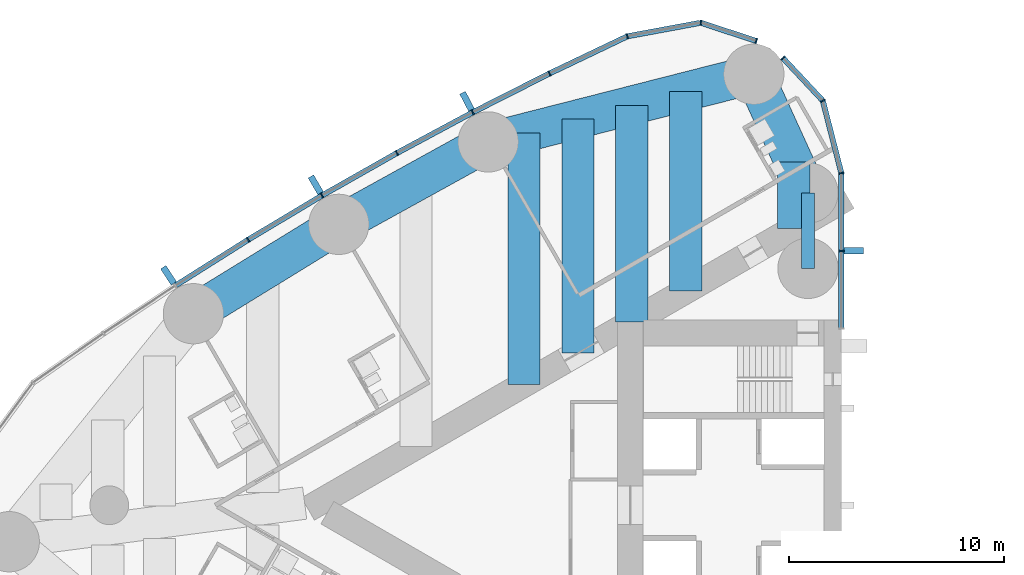
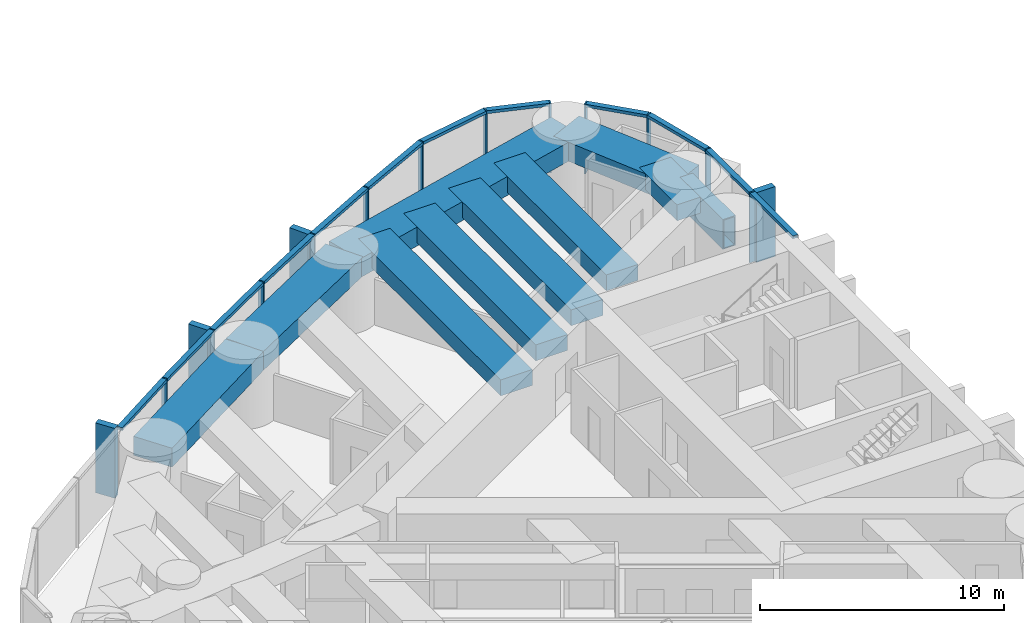
# One storey, part 5 of 18: 28 members, 10 beams, 2 elements without a shape of their own.
"""IFC4 building model written with IfcOpenShell, lengths in metres."""

from ifc_helpers import new_model, si_unit, direction, frame, origin, origin_2d, place, context, subcontext, project, spatial, rectangle, hollow_rectangle, extrude, material, material_profile, profile_set, type_object, element, aggregate, save


model = new_model("IFC4")

# Units and contexts
model_context = context("Model", 3, precision=1e-05, world=origin(), true_north=direction((0.0, 1.0)))
body_context = subcontext(model_context, "Body", "Model", "MODEL_VIEW")
ifc_project = project(units=[si_unit("LENGTHUNIT", "METRE"), si_unit("AREAUNIT", "SQUARE_METRE"), si_unit("VOLUMEUNIT", "CUBIC_METRE"), si_unit("PLANEANGLEUNIT", "RADIAN"), si_unit("MASSUNIT", "GRAM", prefix="KILO")], contexts=[model_context])

# Site, building, storey
site_placement = place(None, origin())
site = spatial("IfcSite", under=ifc_project, at=site_placement, CompositionType="ELEMENT")
building_placement = place(site_placement, origin())
building = spatial("IfcBuilding", under=site, at=building_placement, Name="Lancet Gate Hotel", CompositionType="ELEMENT")
storey_placement = place(building_placement, frame((0.0, 0.0, 187.800048828125)))
storey = spatial("IfcBuildingStorey", under=building, at=storey_placement, Name="L50", CompositionType="ELEMENT", Elevation=187.800048828125)

# Curtain wall, members
ifc_material_1 = material(Name="Aluminium curtain wall", Category="aluminium")
curtain_wall_type = type_object("IfcCurtainWallType", Name="Tower unitised curtain wall", PredefinedType="USERDEFINED", material=ifc_material_1)
curtain_wall_1_placement = place(storey_placement, origin())
curtain_wall_1 = element("IfcCurtainWall", 1, at=curtain_wall_1_placement, inside=storey, type_object=curtain_wall_type, Name="T1 L50 curtain wall 1", ObjectType="UNITISED CURTAIN WALL", PredefinedType="USERDEFINED")
ifc_material_2 = material(Name="Aluminium mullion", Category="aluminium")
ifc_material_profile_1 = material_profile(ifc_material_2, rectangle(XDim=0.06494140625, YDim=0.25, at=origin_2d()), Name="MULLION 65x250")
ifc_profile_set_1 = profile_set([ifc_material_profile_1], Name="Aluminium mullion")
member_type_1 = type_object("IfcMemberType", Name="Aluminium mullion 65x250", PredefinedType="MULLION", material=ifc_profile_set_1)
member_1_placement = place(storey_placement, frame((-27.5, 11.811767578125, 0.0), z_axis=(0.0, 0.0, 1.0), x_axis=(0.0, 1.0, 0.0)))
member_1 = element("IfcMember", 2, at=member_1_placement, type_object=member_type_1, Name="T1 L50 curtain wall 1 mullion 2", PredefinedType="MULLION", context=body_context, shape_type="SweptSolid", body=[
    extrude(rectangle(XDim=0.06494140625, YDim=0.25, at=origin_2d()), origin(), (0.0, 0.0, 1.0), 3.5),
])
member_2_placement = place(storey_placement, frame((-27.5, 15.42333984375, 0.0), z_axis=(0.0, 0.0, 1.0), x_axis=(-0.122467472845, 0.992472527627, 0.0)))
member_2 = element("IfcMember", 3, at=member_2_placement, type_object=member_type_1, Name="T1 L50 curtain wall 1 mullion 3", PredefinedType="MULLION", context=body_context, shape_type="SweptSolid", body=[
    extrude(rectangle(XDim=0.06494140625, YDim=0.25, at=origin_2d()), origin(), (0.0, 0.0, 1.0), 3.5),
])
member_3_placement = place(storey_placement, frame((-28.360595703125, 18.7861328125, 0.0), z_axis=(0.0, 0.0, 1.0), x_axis=(-0.452507601198, 0.891760545695, 0.0)))
member_3 = element("IfcMember", 4, at=member_3_placement, type_object=member_type_1, Name="T1 L50 curtain wall 1 mullion 4", PredefinedType="MULLION", context=body_context, shape_type="SweptSolid", body=[
    extrude(rectangle(XDim=0.06494140625, YDim=0.25, at=origin_2d()), origin(), (0.0, 0.0, 1.0), 3.5),
])
member_4_placement = place(storey_placement, frame((-30.210693359375, 20.765625, 0.0), z_axis=(0.0, 0.0, 1.0), x_axis=(-0.682844962172, 0.730563315282, 0.0)))
member_4 = element("IfcMember", 5, at=member_4_placement, type_object=member_type_1, Name="T1 L50 curtain wall 1 mullion 5", PredefinedType="MULLION", context=body_context, shape_type="SweptSolid", body=[
    extrude(rectangle(XDim=0.06494140625, YDim=0.25, at=origin_2d()), origin(), (0.0, 0.0, 1.0), 3.5),
])

curtain_wall_2_placement = place(storey_placement, origin())
curtain_wall_2 = element("IfcCurtainWall", 6, at=curtain_wall_2_placement, inside=storey, type_object=curtain_wall_type, Name="T1 L50 curtain wall 2", ObjectType="UNITISED CURTAIN WALL", PredefinedType="USERDEFINED")
member_5_placement = place(storey_placement, frame((-31.45263671875, 21.5595703125, 0.0), z_axis=(0.0, 0.0, 1.0), x_axis=(-0.949848055084, 0.312711803827, 0.0)))
member_5 = element("IfcMember", 7, at=member_5_placement, type_object=member_type_1, Name="T1 L50 curtain wall 2 mullion 1", PredefinedType="MULLION", context=body_context, shape_type="SweptSolid", body=[
    extrude(rectangle(XDim=0.06494140625, YDim=0.25, at=origin_2d()), origin(), (0.0, 0.0, 1.0), 3.5),
])
member_6_placement = place(storey_placement, frame((-34.02783203125, 22.407470703125, 0.0), z_axis=(0.0, 0.0, 1.0), x_axis=(-0.999350473622, 0.036036521361, 0.0)))
member_6 = element("IfcMember", 8, at=member_6_placement, type_object=member_type_1, Name="T1 L50 curtain wall 2 mullion 2", PredefinedType="MULLION", context=body_context, shape_type="SweptSolid", body=[
    extrude(rectangle(XDim=0.06494140625, YDim=0.25, at=origin_2d()), origin(), (0.0, 0.0, 1.0), 3.5),
])
member_7_placement = place(storey_placement, frame((-37.44091796875, 21.775634765625, 0.0), z_axis=(0.0, 0.0, 1.0), x_axis=(-0.948119321052, -0.317914694609, 0.0)))
member_7 = element("IfcMember", 9, at=member_7_placement, type_object=member_type_1, Name="T1 L50 curtain wall 2 mullion 3", PredefinedType="MULLION", context=body_context, shape_type="SweptSolid", body=[
    extrude(rectangle(XDim=0.06494140625, YDim=0.25, at=origin_2d()), origin(), (0.0, 0.0, 1.0), 3.5),
])
member_8_placement = place(storey_placement, frame((-41.0498046875, 20.052978515625, 0.0), z_axis=(0.0, 0.0, 1.0), x_axis=(-0.897324392142, -0.441371652088, 0.0)))
member_8 = element("IfcMember", 10, at=member_8_placement, type_object=member_type_1, Name="T1 L50 curtain wall 2 mullion 4", PredefinedType="MULLION", context=body_context, shape_type="SweptSolid", body=[
    extrude(rectangle(XDim=0.06494140625, YDim=0.25, at=origin_2d()), origin(), (0.0, 0.0, 1.0), 3.5),
])
member_9_placement = place(storey_placement, frame((-44.6171875, 18.245849609375, 0.0), z_axis=(0.0, 0.0, 1.0), x_axis=(-0.886694440064, -0.462355891019, 0.0)))
member_9 = element("IfcMember", 11, at=member_9_placement, type_object=member_type_1, Name="T1 L50 curtain wall 2 mullion 5", PredefinedType="MULLION", context=body_context, shape_type="SweptSolid", body=[
    extrude(rectangle(XDim=0.06494140625, YDim=0.25, at=origin_2d()), origin(), (0.0, 0.0, 1.0), 3.5),
])
member_10_placement = place(storey_placement, frame((-48.140869140625, 16.355224609375, 0.0), z_axis=(0.0, 0.0, 1.0), x_axis=(-0.87557384965, -0.483084292654, 0.0)))
member_10 = element("IfcMember", 12, at=member_10_placement, type_object=member_type_1, Name="T1 L50 curtain wall 2 mullion 6", PredefinedType="MULLION", context=body_context, shape_type="SweptSolid", body=[
    extrude(rectangle(XDim=0.06494140625, YDim=0.25, at=origin_2d()), origin(), (0.0, 0.0, 1.0), 3.5),
])
member_11_placement = place(storey_placement, frame((-51.619384765625, 14.38232421875, 0.0), z_axis=(0.0, 0.0, 1.0), x_axis=(-0.863968774311, -0.503545387245, 0.0)))
member_11 = element("IfcMember", 13, at=member_11_placement, type_object=member_type_1, Name="T1 L50 curtain wall 2 mullion 7", PredefinedType="MULLION", context=body_context, shape_type="SweptSolid", body=[
    extrude(rectangle(XDim=0.06494140625, YDim=0.25, at=origin_2d()), origin(), (0.0, 0.0, 1.0), 3.5),
])
member_12_placement = place(storey_placement, frame((-55.05029296875, 12.328369140625, 0.0), z_axis=(0.0, 0.0, 1.0), x_axis=(-0.851885635531, -0.52372785297, 0.0)))
member_12 = element("IfcMember", 14, at=member_12_placement, type_object=member_type_1, Name="T1 L50 curtain wall 2 mullion 8", PredefinedType="MULLION", context=body_context, shape_type="SweptSolid", body=[
    extrude(rectangle(XDim=0.06494140625, YDim=0.25, at=origin_2d()), origin(), (0.0, 0.0, 1.0), 3.5),
])

# Member
ifc_material_3 = material(Name="Aluminium transom", Category="aluminium")
ifc_material_profile_2 = material_profile(ifc_material_3, rectangle(XDim=0.25, YDim=0.14990234375, at=origin_2d()), Name="TRANSOM 250x150")
ifc_profile_set_2 = profile_set([ifc_material_profile_2], Name="Aluminium transom")
member_type_2 = type_object("IfcMemberType", Name="Aluminium transom 250x150", PredefinedType="USERDEFINED", material=ifc_profile_set_2)
member_13_placement = place(storey_placement, frame((-27.5, 8.232421875, 3.425048828125), z_axis=(0.0, 1.0, 0.0), x_axis=(-1.0, 0.0, 0.0)))
member_13 = element("IfcMember", 15, at=member_13_placement, type_object=member_type_2, Name="T1 L50 curtain wall 1 transom 1", ObjectType="TRANSOM", PredefinedType="USERDEFINED", context=body_context, shape_type="SweptSolid", body=[
    extrude(rectangle(XDim=0.25, YDim=0.14990234375, at=origin_2d()), origin(), (0.0, 0.0, 1.0), 3.546875),
])

member_14_placement = place(storey_placement, frame((-27.5, 11.84423828125, 3.425048828125), z_axis=(0.0, 1.0, 0.0), x_axis=(-1.0, 0.0, 0.0)))
member_14 = element("IfcMember", 16, at=member_14_placement, type_object=member_type_2, Name="T1 L50 curtain wall 1 transom 2", ObjectType="TRANSOM", PredefinedType="USERDEFINED", context=body_context, shape_type="SweptSolid", body=[
    extrude(rectangle(XDim=0.25, YDim=0.14990234375, at=origin_2d()), origin(), (0.0, 0.0, 1.0), 3.546630859375),
])

member_15_placement = place(storey_placement, frame((-27.508056640625, 15.454833984375, 3.425048828125), z_axis=(-0.247928683912, 0.968778286139, 0.0), x_axis=(-0.968778286139, -0.247928683912, 0.0)))
member_15 = element("IfcMember", 17, at=member_15_placement, type_object=member_type_2, Name="T1 L50 curtain wall 1 transom 3", ObjectType="TRANSOM", PredefinedType="USERDEFINED", context=body_context, shape_type="SweptSolid", body=[
    extrude(rectangle(XDim=0.25, YDim=0.14990234375, at=origin_2d()), origin(), (0.0, 0.0, 1.0), 3.40625),
])

member_16_placement = place(storey_placement, frame((-28.3828125, 18.809814453125, 3.425048828125), z_axis=(-0.682841037959, 0.730566983157, 0.0), x_axis=(-0.730566983157, -0.682841037959, 0.0)))
member_16 = element("IfcMember", 18, at=member_16_placement, type_object=member_type_2, Name="T1 L50 curtain wall 1 transom 4", ObjectType="TRANSOM", PredefinedType="USERDEFINED", context=body_context, shape_type="SweptSolid", body=[
    extrude(rectangle(XDim=0.25, YDim=0.14990234375, at=origin_2d()), origin(), (0.0, 0.0, 1.0), 2.644775390625),
])

member_17_placement = place(storey_placement, frame((-31.483642578125, 21.56982421875, 3.425048828125), z_axis=(-0.949857661259, 0.312682623993, 0.0), x_axis=(-0.312682623993, -0.949857661259, 0.0)))
member_17 = element("IfcMember", 19, at=member_17_placement, type_object=member_type_2, Name="T1 L50 curtain wall 2 transom 1", ObjectType="TRANSOM", PredefinedType="USERDEFINED", context=body_context, shape_type="SweptSolid", body=[
    extrude(rectangle(XDim=0.25, YDim=0.14990234375, at=origin_2d()), origin(), (0.0, 0.0, 1.0), 2.64599609375),
])

member_18_placement = place(storey_placement, frame((-34.059814453125, 22.401611328125, 3.425048828125), z_axis=(-0.983286757871, -0.182063592724, 0.0), x_axis=(0.182063592724, -0.983286757871, 0.0)))
member_18 = element("IfcMember", 20, at=member_18_placement, type_object=member_type_2, Name="T1 L50 curtain wall 2 transom 2", ObjectType="TRANSOM", PredefinedType="USERDEFINED", context=body_context, shape_type="SweptSolid", body=[
    extrude(rectangle(XDim=0.25, YDim=0.14990234375, at=origin_2d()), origin(), (0.0, 0.0, 1.0), 3.406005859375),
])

member_19_placement = place(storey_placement, frame((-37.47021484375, 21.761474609375, 3.425048828125), z_axis=(-0.902468975385, -0.430754858902, 0.0), x_axis=(0.430754858902, -0.902468975385, 0.0)))
member_19 = element("IfcMember", 21, at=member_19_placement, type_object=member_type_2, Name="T1 L50 curtain wall 2 transom 3", ObjectType="TRANSOM", PredefinedType="USERDEFINED", context=body_context, shape_type="SweptSolid", body=[
    extrude(rectangle(XDim=0.25, YDim=0.14990234375, at=origin_2d()), origin(), (0.0, 0.0, 1.0), 3.93408203125),
])

member_20_placement = place(storey_placement, frame((-41.078857421875, 20.0380859375, 3.425048828125), z_axis=(-0.892081477453, -0.451874581699, 0.0), x_axis=(0.451874581699, -0.892081477453, 0.0)))
member_20 = element("IfcMember", 22, at=member_20_placement, type_object=member_type_2, Name="T1 L50 curtain wall 2 transom 4", ObjectType="TRANSOM", PredefinedType="USERDEFINED", context=body_context, shape_type="SweptSolid", body=[
    extrude(rectangle(XDim=0.25, YDim=0.14990234375, at=origin_2d()), origin(), (0.0, 0.0, 1.0), 3.933837890625),
])

member_21_placement = place(storey_placement, frame((-44.645751953125, 18.23046875, 3.425048828125), z_axis=(-0.881185491994, -0.472770693571, 0.0), x_axis=(0.472770693571, -0.881185491994, 0.0)))
member_21 = element("IfcMember", 23, at=member_21_placement, type_object=member_type_2, Name="T1 L50 curtain wall 2 transom 5", ObjectType="TRANSOM", PredefinedType="USERDEFINED", context=body_context, shape_type="SweptSolid", body=[
    extrude(rectangle(XDim=0.25, YDim=0.14990234375, at=origin_2d()), origin(), (0.0, 0.0, 1.0), 3.93408203125),
])

member_22_placement = place(storey_placement, frame((-48.169189453125, 16.33935546875, 3.425048828125), z_axis=(-0.869819807367, -0.493369539709, 0.0), x_axis=(0.493369539709, -0.869819807367, 0.0)))
member_22 = element("IfcMember", 24, at=member_22_placement, type_object=member_type_2, Name="T1 L50 curtain wall 2 transom 6", ObjectType="TRANSOM", PredefinedType="USERDEFINED", context=body_context, shape_type="SweptSolid", body=[
    extrude(rectangle(XDim=0.25, YDim=0.14990234375, at=origin_2d()), origin(), (0.0, 0.0, 1.0), 3.93408203125),
])

member_23_placement = place(storey_placement, frame((-51.647216796875, 14.36572265625, 3.425048828125), z_axis=(-0.857985365092, -0.513674131419, 0.0), x_axis=(0.513674131419, -0.857985365092, 0.0)))
member_23 = element("IfcMember", 25, at=member_23_placement, type_object=member_type_2, Name="T1 L50 curtain wall 2 transom 7", ObjectType="TRANSOM", PredefinedType="USERDEFINED", context=body_context, shape_type="SweptSolid", body=[
    extrude(rectangle(XDim=0.25, YDim=0.14990234375, at=origin_2d()), origin(), (0.0, 0.0, 1.0), 3.933837890625),
])

member_24_placement = place(storey_placement, frame((-55.077880859375, 12.31103515625, 3.425048828125), z_axis=(-0.845671711095, -0.53370343549, 0.0), x_axis=(0.53370343549, -0.845671711095, 0.0)))
member_24 = element("IfcMember", 26, at=member_24_placement, type_object=member_type_2, Name="T1 L50 curtain wall 2 transom 8", ObjectType="TRANSOM", PredefinedType="USERDEFINED", context=body_context, shape_type="SweptSolid", body=[
    extrude(rectangle(XDim=0.25, YDim=0.14990234375, at=origin_2d()), origin(), (0.0, 0.0, 1.0), 3.93408203125),
])

# Beams
ifc_material_4 = material(Name="Concrete C50/60", Category="concrete")
ifc_material_profile_3 = material_profile(ifc_material_4, rectangle(XDim=1.800048828125, YDim=0.949951171875, at=origin_2d()), Name="RC 1800x950")
ifc_profile_set_3 = profile_set([ifc_material_profile_3], Name="Concrete C50/60")
beam_type_1 = type_object("IfcBeamType", Name="Edge beam RC 1800x950", PredefinedType="SPANDREL", material=ifc_profile_set_3)
beam_1_placement = place(storey_placement, frame((-31.5654296875, 20.015869140625, 2.77490234375), z_axis=(-0.969008414312, -0.247027717052, 0.0), x_axis=(0.247027717052, -0.969008414312, 0.0)))
element("IfcBeam", 27, at=beam_1_placement, inside=storey, type_object=beam_type_1, Name="T1 edge beam EB1 L50", PredefinedType="SPANDREL", context=body_context, shape_type="SweptSolid", body=[
    extrude(rectangle(XDim=1.800048828125, YDim=0.949951171875, at=origin_2d()), origin(), (0.0, 0.0, 1.0), 12.7294921875),
])
beam_2_placement = place(storey_placement, frame((-43.900390625, 16.871337890625, 2.77490234375), z_axis=(-0.875577684027, -0.483077342911, 0.0), x_axis=(0.483077342911, -0.875577684027, 0.0)))
element("IfcBeam", 28, at=beam_2_placement, inside=storey, type_object=beam_type_1, Name="T1 edge beam EB1 L50", PredefinedType="SPANDREL", context=body_context, shape_type="SweptSolid", body=[
    extrude(rectangle(XDim=1.800048828125, YDim=0.949951171875, at=origin_2d()), origin(), (0.0, 0.0, 1.0), 7.924560546875),
])
beam_3_placement = place(storey_placement, frame((-50.8388671875, 13.043212890625, 2.77490234375), z_axis=(-0.851892008043, -0.523717487423, 0.0), x_axis=(0.523717487423, -0.851892008043, 0.0)))
element("IfcBeam", 29, at=beam_3_placement, inside=storey, type_object=beam_type_1, Name="T1 edge beam EB1 L50", PredefinedType="SPANDREL", context=body_context, shape_type="SweptSolid", body=[
    extrude(rectangle(XDim=1.800048828125, YDim=0.949951171875, at=origin_2d()), origin(), (0.0, 0.0, 1.0), 7.92431640625),
])
beam_4_placement = place(storey_placement, frame((-31.5654296875, 20.015869140625, 2.77490234375), z_axis=(0.414919206993, -0.909858259109, 0.0), x_axis=(0.909858259109, 0.414919206993, 0.0)))
element("IfcBeam", 30, at=beam_4_placement, inside=storey, type_object=beam_type_1, Name="T1 edge beam EB1 L50", PredefinedType="SPANDREL", context=body_context, shape_type="SweptSolid", body=[
    extrude(rectangle(XDim=1.800048828125, YDim=0.949951171875, at=origin_2d()), origin(), (0.0, 0.0, 1.0), 6.062255859375),
])

# Member
ifc_material_5 = material(Name="Precast concrete C50/60", Category="concrete")
ifc_material_profile_4 = material_profile(ifc_material_5, rectangle(XDim=0.300048828125, YDim=0.89990234375, at=origin_2d()), Name="FIN 300x900")
ifc_profile_set_4 = profile_set([ifc_material_profile_4], Name="Precast concrete C50/60")
member_type_3 = type_object("IfcMemberType", Name="Exposed concrete fin 300x900", PredefinedType="USERDEFINED", material=ifc_profile_set_4)
member_25_placement = place(storey_placement, frame((-26.925048828125, 11.811767578125, 0.0), z_axis=(0.0, 0.0, 1.0), x_axis=(0.0, 1.0, 0.0)))
member_25 = element("IfcMember", 31, at=member_25_placement, type_object=member_type_3, Name="T1 L50 curtain wall 1 fin 2", ObjectType="FIN", PredefinedType="USERDEFINED", context=body_context, shape_type="SweptSolid", body=[
    extrude(rectangle(XDim=0.300048828125, YDim=0.89990234375, at=origin_2d()), origin(), (0.0, 0.0, 1.0), 3.5),
])

aggregate(curtain_wall_1, [member_1, member_25, member_2, member_3, member_4, member_13, member_14, member_15, member_16])

member_26_placement = place(storey_placement, frame((-44.883056640625, 18.755615234375, 0.0), z_axis=(0.0, 0.0, 1.0), x_axis=(-0.886694440064, -0.462355891019, 0.0)))
member_26 = element("IfcMember", 32, at=member_26_placement, type_object=member_type_3, Name="T1 L50 curtain wall 2 fin 5", ObjectType="FIN", PredefinedType="USERDEFINED", context=body_context, shape_type="SweptSolid", body=[
    extrude(rectangle(XDim=0.300048828125, YDim=0.89990234375, at=origin_2d()), origin(), (0.0, 0.0, 1.0), 3.5),
])

member_27_placement = place(storey_placement, frame((-51.908935546875, 14.879150390625, 0.0), z_axis=(0.0, 0.0, 1.0), x_axis=(-0.863968774311, -0.503545387245, 0.0)))
member_27 = element("IfcMember", 33, at=member_27_placement, type_object=member_type_3, Name="T1 L50 curtain wall 2 fin 7", ObjectType="FIN", PredefinedType="USERDEFINED", context=body_context, shape_type="SweptSolid", body=[
    extrude(rectangle(XDim=0.300048828125, YDim=0.89990234375, at=origin_2d()), origin(), (0.0, 0.0, 1.0), 3.5),
])

member_28_placement = place(storey_placement, frame((-58.74462890625, 10.6767578125, 0.0), z_axis=(0.0, 0.0, 1.0), x_axis=(-0.839331119324, -0.54362052218, 0.0)))
member_28 = element("IfcMember", 34, at=member_28_placement, type_object=member_type_3, Name="T1 L50 curtain wall 2 fin 9", ObjectType="FIN", PredefinedType="USERDEFINED", context=body_context, shape_type="SweptSolid", body=[
    extrude(rectangle(XDim=0.300048828125, YDim=0.89990234375, at=origin_2d()), origin(), (0.0, 0.0, 1.0), 3.5),
])

aggregate(curtain_wall_2, [member_5, member_6, member_7, member_8, member_9, member_26, member_10, member_11, member_27, member_12, member_28, member_17, member_18, member_19, member_20, member_21, member_22, member_23, member_24])

# Beams
ifc_material_6 = material(Name="Concrete C50/60", Category="concrete")
ifc_material_profile_5 = material_profile(ifc_material_6, rectangle(XDim=1.5, YDim=0.800048828125, at=origin_2d()), Name="RC 1500x800")
ifc_profile_set_5 = profile_set([ifc_material_profile_5], Name="Concrete C50/60")
beam_type_2 = type_object("IfcBeamType", Name="Floor beam RC 1500x800", PredefinedType="BEAM", material=ifc_profile_set_5)
beam_5_placement = place(storey_placement, frame((-29.706787109375, 15.940185546875, 2.849853515625), z_axis=(0.0, -1.0, 0.0), x_axis=(1.0, 0.0, 0.0)))
element("IfcBeam", 35, at=beam_5_placement, inside=storey, type_object=beam_type_2, Name="T1 floor beam F01S L50", PredefinedType="BEAM", context=body_context, shape_type="SweptSolid", body=[
    extrude(rectangle(XDim=1.5, YDim=0.800048828125, at=origin_2d()), origin(), (0.0, 0.0, 1.0), 3.087646484375),
])
beam_6_placement = place(storey_placement, frame((-34.720458984375, 19.211669921875, 2.849853515625), z_axis=(0.0, -1.0, 0.0), x_axis=(1.0, 0.0, 0.0)))
element("IfcBeam", 36, at=beam_6_placement, inside=storey, type_object=beam_type_2, Name="T1 floor beam F03S L50", PredefinedType="BEAM", context=body_context, shape_type="SweptSolid", body=[
    extrude(rectangle(XDim=1.5, YDim=0.800048828125, at=origin_2d()), origin(), (0.0, 0.0, 1.0), 9.253662109375),
])
beam_7_placement = place(storey_placement, frame((-37.227294921875, 18.572509765625, 2.849853515625), z_axis=(0.0, -1.0, 0.0), x_axis=(1.0, 0.0, 0.0)))
element("IfcBeam", 37, at=beam_7_placement, inside=storey, type_object=beam_type_2, Name="T1 floor beam F04S L50", PredefinedType="BEAM", context=body_context, shape_type="SweptSolid", body=[
    extrude(rectangle(XDim=1.5, YDim=0.800048828125, at=origin_2d()), origin(), (0.0, 0.0, 1.0), 10.061767578125),
])
beam_8_placement = place(storey_placement, frame((-39.734130859375, 17.93359375, 2.849853515625), z_axis=(0.0, -1.0, 0.0), x_axis=(1.0, 0.0, 0.0)))
element("IfcBeam", 38, at=beam_8_placement, inside=storey, type_object=beam_type_2, Name="T1 floor beam F06S L50", PredefinedType="BEAM", context=body_context, shape_type="SweptSolid", body=[
    extrude(rectangle(XDim=1.5, YDim=0.800048828125, at=origin_2d()), origin(), (0.0, 0.0, 1.0), 10.8701171875),
])
beam_9_placement = place(storey_placement, frame((-42.240966796875, 17.29443359375, 2.849853515625), z_axis=(0.0, -1.0, 0.0), x_axis=(1.0, 0.0, 0.0)))
element("IfcBeam", 39, at=beam_9_placement, inside=storey, type_object=beam_type_2, Name="T1 floor beam F07S L50", PredefinedType="BEAM", context=body_context, shape_type="SweptSolid", body=[
    extrude(rectangle(XDim=1.5, YDim=0.800048828125, at=origin_2d()), origin(), (0.0, 0.0, 1.0), 11.678466796875),
])
ifc_material_7 = material(Name="Steel S460QL", Category="steel")
ifc_material_profile_6 = material_profile(ifc_material_7, hollow_rectangle(XDim=0.60009765625, YDim=1.5, WallThickness=0.050048828125, at=origin_2d()), Name="BOX 1500x600x50")
ifc_profile_set_6 = profile_set([ifc_material_profile_6], Name="Steel S460QL")
beam_type_3 = type_object("IfcBeamType", Name="Inner-face link beam BOX 1500x600x50", PredefinedType="BEAM", material=ifc_profile_set_6)
beam_10_placement = place(storey_placement, frame((-29.050048828125, 14.5, 2.5), z_axis=(0.0, -1.0, 0.0), x_axis=(1.0, 0.0, 0.0)))
element("IfcBeam", 40, at=beam_10_placement, inside=storey, type_object=beam_type_3, Name="T1 inner-face link beam LK1 L50", PredefinedType="BEAM", context=body_context, shape_type="SweptSolid", body=[
    extrude(hollow_rectangle(XDim=0.60009765625, YDim=1.5, WallThickness=0.050048828125, at=origin_2d()), origin(), (0.0, 0.0, 1.0), 3.5),
])

save(model, "model.ifc")
